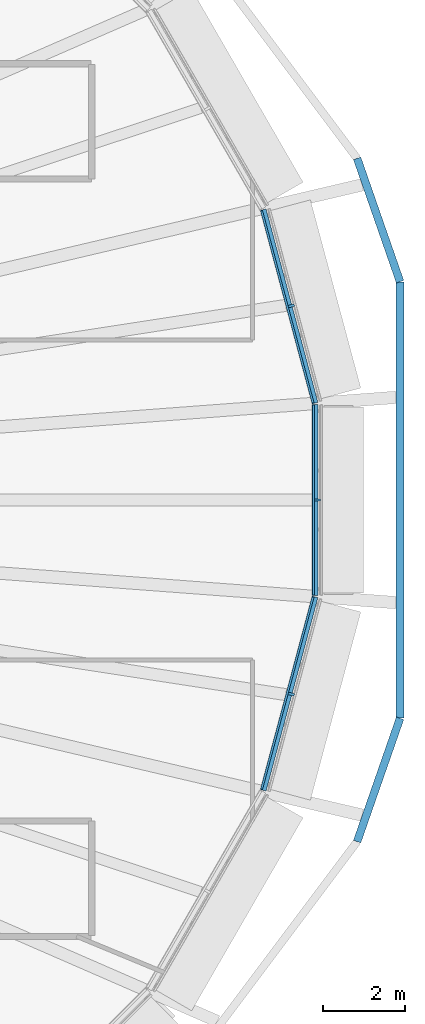
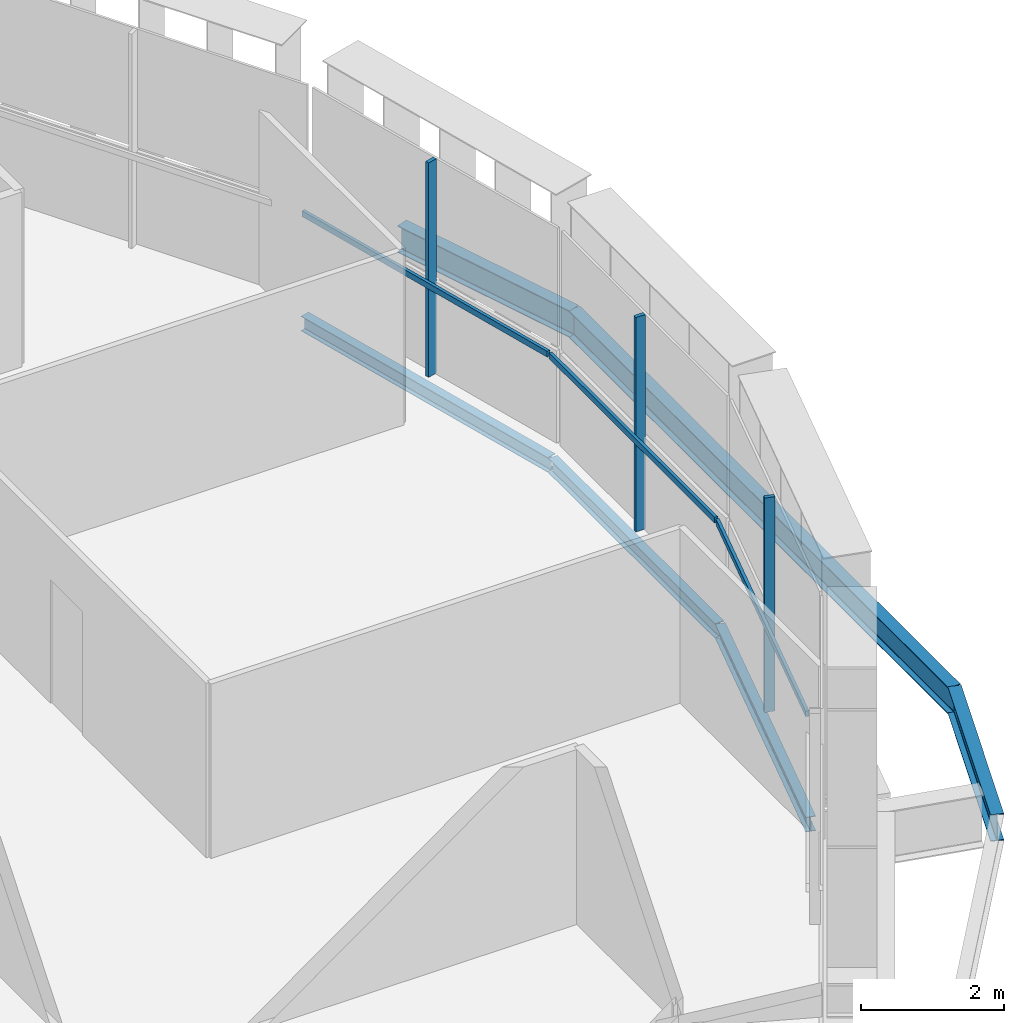
# One storey, part 12 of 25: 6 beams, 6 members, 3 elements without a shape of their own.
"""IFC4 building model written with IfcOpenShell, lengths in metres."""

from ifc_helpers import new_model, si_unit, direction, frame, origin, origin_2d, place, context, subcontext, project, spatial, rectangle, i_section, extrude, material, layer, layer_set, material_profile, profile_set, type_object, element, aggregate, save


model = new_model("IFC4")

# Units and contexts
model_context = context("Model", 3, precision=1e-05, world=origin(), true_north=direction((0.0, 1.0)))
body_context = subcontext(model_context, "Body", "Model", "MODEL_VIEW")
ifc_project = project(units=[si_unit("LENGTHUNIT", "METRE"), si_unit("AREAUNIT", "SQUARE_METRE"), si_unit("VOLUMEUNIT", "CUBIC_METRE"), si_unit("PLANEANGLEUNIT", "RADIAN"), si_unit("MASSUNIT", "GRAM", prefix="KILO")], contexts=[model_context])

# Site, building, storey
site_placement = place(None, origin())
site = spatial("IfcSite", under=ifc_project, at=site_placement, CompositionType="ELEMENT")
building_placement = place(site_placement, origin())
building = spatial("IfcBuilding", under=site, at=building_placement, Name="Sahrelin Media Tower", CompositionType="ELEMENT")
storey_placement = place(building_placement, frame((0.0, 0.0, 135.60009765625)))
storey = spatial("IfcBuildingStorey", under=building, at=storey_placement, Name="L27", CompositionType="ELEMENT", Elevation=135.60009765625)

# Beams
ifc_material_1 = material(Name="Steel S355", Category="steel")
ifc_material_profile_1 = material_profile(ifc_material_1, i_section(OverallWidth=0.14599609375, OverallDepth=0.25146484375, WebThickness=0.006103515625, FlangeThickness=0.008544921875, FilletRadius=0.007568359375, at=origin_2d()), Name="UB 254x146x31")
ifc_profile_set_1 = profile_set([ifc_material_profile_1], Name="Steel S355")
beam_type_1 = type_object("IfcBeamType", Name="Edge beam EB1", PredefinedType="BEAM", material=ifc_profile_set_1)
beam_1_placement = place(storey_placement, frame((31.4287109375, 2.32421875, -0.27587890625), z_axis=(0.0, -1.0, 0.0), x_axis=(1.0, 0.0, 0.0)))
element("IfcBeam", 1, at=beam_1_placement, inside=storey, type_object=beam_type_1, Name="Edge beam L27-01", PredefinedType="BEAM", context=body_context, shape_type="SweptSolid", body=[
    extrude(i_section(OverallWidth=0.14599609375, OverallDepth=0.25146484375, WebThickness=0.006103515625, FlangeThickness=0.008544921875, FilletRadius=0.007568359375, at=origin_2d()), origin(), (0.0, 0.0, 1.0), 4.6484375),
])
for number, where, z_axis, x_axis, name in (
    (2, (31.4248046875, -2.352783203125, -0.27587890625), (-0.258796286999, -0.965931924017, 0.0), (0.965931924017, -0.258796286999, 0.0), "Edge beam L27-02"),
    (3, (30.165771484375, 7.052001953125, -0.27587890625), (0.258796286999, -0.965931924017, 0.0), (0.965931924017, 0.258796286999, 0.0), "Edge beam L27-24"),
):
    element("IfcBeam", number, at=place(storey_placement, frame(where, z_axis=z_axis, x_axis=x_axis)), inside=storey, type_object=beam_type_1, Name=name, PredefinedType="BEAM", context=body_context, shape_type="SweptSolid", body=[
        extrude(i_section(OverallWidth=0.14599609375, OverallDepth=0.25146484375, WebThickness=0.006103515625, FlangeThickness=0.008544921875, FilletRadius=0.007568359375, at=origin_2d()), origin(), (0.0, 0.0, 1.0), 4.864990234375),
    ])

# Curtain wall, member
ifc_material_2 = material(Name="Champagne anodised aluminium 6063-T6", Category="aluminium")
ifc_layer = layer(ifc_material_2, 0.14990234375)
ifc_layer_set = layer_set([ifc_layer], Name="Tower ribbon curtain wall")
curtain_wall_type = type_object("IfcCurtainWallType", Name="Tower ribbon curtain wall", PredefinedType="NOTDEFINED", material=ifc_layer_set)
curtain_wall_1_placement = place(storey_placement, frame((31.57861328125, 0.0, 0.0), z_axis=(0.0, 0.0, 1.0), x_axis=(1.0, 0.0, 0.0)))
curtain_wall_1 = element("IfcCurtainWall", 4, at=curtain_wall_1_placement, inside=storey, type_object=curtain_wall_type, Name="L27:CW:L27-00", PredefinedType="NOTDEFINED")
ifc_material_profile_2 = material_profile(ifc_material_2, rectangle(XDim=0.06005859375, YDim=0.14990234375, at=origin_2d()), Name="Mullion 60x150")
ifc_profile_set_2 = profile_set([ifc_material_profile_2], Name="Champagne anodised aluminium 6063-T6")
member_type_1 = type_object("IfcMemberType", Name="Mullion 60x150 CW1", PredefinedType="MULLION", material=ifc_profile_set_2)
member_1_placement = place(storey_placement, frame((31.483642578125, 0.0, 0.0), z_axis=(0.0, 0.0, 1.0), x_axis=(0.0, 1.0, 0.0)))
member_1 = element("IfcMember", 5, at=member_1_placement, type_object=member_type_1, Name="L27:CWM:L27-00", PredefinedType="MULLION", context=body_context, shape_type="SweptSolid", body=[
    extrude(rectangle(XDim=0.06005859375, YDim=0.14990234375, at=origin_2d()), origin(), (0.0, 0.0, 1.0), 3.6484375),
])

curtain_wall_2_placement = place(storey_placement, frame((30.940185546875, 4.7412109375, 0.0), z_axis=(0.0, 0.0, 1.0), x_axis=(1.0, 0.0, 0.0)))
curtain_wall_2 = element("IfcCurtainWall", 6, at=curtain_wall_2_placement, inside=storey, type_object=curtain_wall_type, Name="L27:CW:L27-01", PredefinedType="NOTDEFINED")
member_2_placement = place(storey_placement, frame((30.848388671875, 4.716552734375, 0.0), z_axis=(0.0, 0.0, 1.0), x_axis=(-0.258827474386, 0.96592356763, 0.0)))
member_2 = element("IfcMember", 7, at=member_2_placement, type_object=member_type_1, Name="L27:CWM:L27-01", PredefinedType="MULLION", context=body_context, shape_type="SweptSolid", body=[
    extrude(rectangle(XDim=0.06005859375, YDim=0.14990234375, at=origin_2d()), origin(), (0.0, 0.0, 1.0), 3.6484375),
])

curtain_wall_3_placement = place(storey_placement, frame((30.940185546875, -4.7412109375, 0.0), z_axis=(0.0, 0.0, 1.0), x_axis=(1.0, 0.0, 0.0)))
curtain_wall_3 = element("IfcCurtainWall", 8, at=curtain_wall_3_placement, inside=storey, type_object=curtain_wall_type, Name="L27:CW:L27-23", PredefinedType="NOTDEFINED")
member_3_placement = place(storey_placement, frame((30.848388671875, -4.716552734375, 0.0), z_axis=(0.0, 0.0, 1.0), x_axis=(0.258827474386, 0.96592356763, 0.0)))
member_3 = element("IfcMember", 9, at=member_3_placement, type_object=member_type_1, Name="L27:CWM:L27-23", PredefinedType="MULLION", context=body_context, shape_type="SweptSolid", body=[
    extrude(rectangle(XDim=0.06005859375, YDim=0.14990234375, at=origin_2d()), origin(), (0.0, 0.0, 1.0), 3.6484375),
])

# Beams
ifc_material_profile_3 = material_profile(ifc_material_1, i_section(OverallWidth=0.1904296875, OverallDepth=0.45703125, WebThickness=0.009033203125, FlangeThickness=0.014404296875, FilletRadius=0.01025390625, at=origin_2d()), Name="UB 457x191x74")
ifc_profile_set_3 = profile_set([ifc_material_profile_3], Name="Steel S355")
beam_type_2 = type_object("IfcBeamType", Name="Tie chord TC5", PredefinedType="BEAM", material=ifc_profile_set_3)
for number, where, z_axis, x_axis, name in (
    (10, (33.491455078125, 5.301513671875, -0.378662109375), (-0.328804141521, 0.944398134538, 0.0), (-0.944398134538, -0.328804141521, 0.0), "Tie chord L27-01"),
    (11, (32.4482421875, -8.2978515625, -0.378662109375), (0.328804141521, 0.944398134538, 0.0), (-0.944398134538, 0.328804141521, 0.0), "Tie chord L27-23"),
):
    element("IfcBeam", number, at=place(storey_placement, frame(where, z_axis=z_axis, x_axis=x_axis)), inside=storey, type_object=beam_type_2, Name=name, PredefinedType="BEAM", context=body_context, shape_type="SweptSolid", body=[
        extrude(i_section(OverallWidth=0.1904296875, OverallDepth=0.45703125, WebThickness=0.009033203125, FlangeThickness=0.014404296875, FilletRadius=0.01025390625, at=origin_2d()), origin(), (0.0, 0.0, 1.0), 3.1728515625),
    ])
beam_2_placement = place(storey_placement, frame((33.491455078125, -5.301513671875, -0.378662109375), z_axis=(0.0, 1.0, 0.0), x_axis=(-1.0, 0.0, 0.0)))
element("IfcBeam", 12, at=beam_2_placement, inside=storey, type_object=beam_type_2, Name="Tie chord L27-24", PredefinedType="BEAM", context=body_context, shape_type="SweptSolid", body=[
    extrude(i_section(OverallWidth=0.1904296875, OverallDepth=0.45703125, WebThickness=0.009033203125, FlangeThickness=0.014404296875, FilletRadius=0.01025390625, at=origin_2d()), origin(), (0.0, 0.0, 1.0), 10.60302734375),
])

# Member
ifc_material_profile_4 = material_profile(ifc_material_2, rectangle(XDim=0.050048828125, YDim=0.10009765625, at=origin_2d()), Name="Transom 50x100")
ifc_profile_set_4 = profile_set([ifc_material_profile_4], Name="Champagne anodised aluminium 6063-T6")
member_type_2 = type_object("IfcMemberType", Name="Transom 50x100 CW1", PredefinedType="USERDEFINED", material=ifc_profile_set_4)
member_4_placement = place(storey_placement, frame((31.3837890625, -2.30859375, 1.599853515625), z_axis=(0.0, 1.0, 0.0), x_axis=(-1.0, 0.0, 0.0)))
member_4 = element("IfcMember", 13, at=member_4_placement, type_object=member_type_2, Name="L27:CWT:L27-00", ObjectType="TRANSOM", PredefinedType="USERDEFINED", context=body_context, shape_type="SweptSolid", body=[
    extrude(rectangle(XDim=0.050048828125, YDim=0.10009765625, at=origin_2d()), origin(), (0.0, 0.0, 1.0), 4.6171875),
])

aggregate(curtain_wall_1, [member_1, member_4])

member_5_placement = place(storey_placement, frame((31.37744140625, 2.356201171875, 1.599853515625), z_axis=(-0.258819402949, 0.965925730404, 0.0), x_axis=(-0.965925730404, -0.258819402949, 0.0)))
member_5 = element("IfcMember", 14, at=member_5_placement, type_object=member_type_2, Name="L27:CWT:L27-01", ObjectType="TRANSOM", PredefinedType="USERDEFINED", context=body_context, shape_type="SweptSolid", body=[
    extrude(rectangle(XDim=0.050048828125, YDim=0.10009765625, at=origin_2d()), origin(), (0.0, 0.0, 1.0), 4.83349609375),
])

aggregate(curtain_wall_2, [member_2, member_5])

member_6_placement = place(storey_placement, frame((30.12646484375, -7.02490234375, 1.599853515625), z_axis=(0.258819402949, 0.965925730404, 0.0), x_axis=(-0.965925730404, 0.258819402949, 0.0)))
member_6 = element("IfcMember", 15, at=member_6_placement, type_object=member_type_2, Name="L27:CWT:L27-23", ObjectType="TRANSOM", PredefinedType="USERDEFINED", context=body_context, shape_type="SweptSolid", body=[
    extrude(rectangle(XDim=0.050048828125, YDim=0.10009765625, at=origin_2d()), origin(), (0.0, 0.0, 1.0), 4.83349609375),
])

aggregate(curtain_wall_3, [member_3, member_6])

save(model, "model.ifc")
